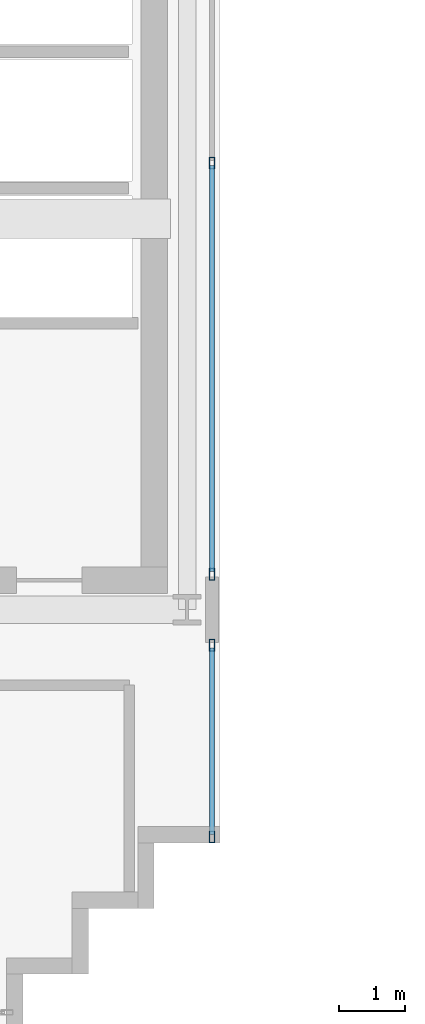
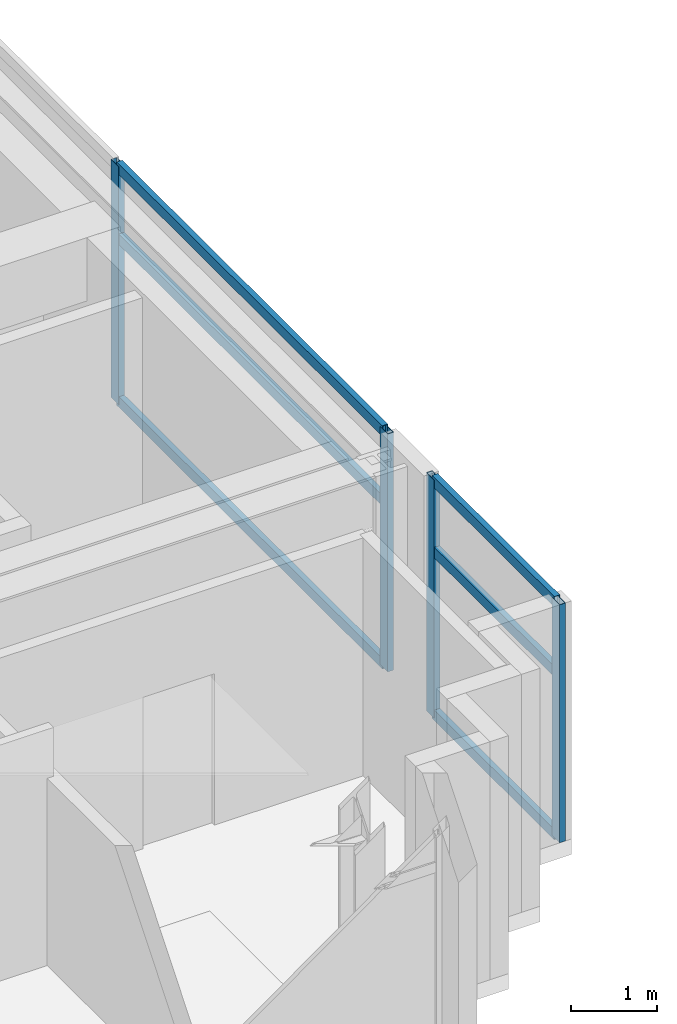
# One storey, part 4 of 25: 10 members, 2 elements without a shape of their own.
"""IFC4 building model written with IfcOpenShell, lengths in metres."""

from ifc_helpers import new_model, si_unit, direction, frame, origin, origin_2d, place, context, subcontext, project, spatial, hollow_rectangle, extrude, source, transform, mapped, material, layer, layer_set, material_profile, profile_set, type_object, element, aggregate, save


model = new_model("IFC4")

# Units and contexts
model_context = context("Model", 3, precision=1e-05, world=origin(), true_north=direction((0.0, 1.0)))
body_context = subcontext(model_context, "Body", "Model", "MODEL_VIEW")
ifc_project = project(units=[si_unit("LENGTHUNIT", "METRE"), si_unit("AREAUNIT", "SQUARE_METRE"), si_unit("VOLUMEUNIT", "CUBIC_METRE"), si_unit("PLANEANGLEUNIT", "RADIAN"), si_unit("MASSUNIT", "GRAM", prefix="KILO")], contexts=[model_context])

# Site, building, storey
site_placement = place(None, origin())
site = spatial("IfcSite", under=ifc_project, at=site_placement, CompositionType="ELEMENT")
building_placement = place(site_placement, origin())
building = spatial("IfcBuilding", under=site, at=building_placement, Name="Ocotamira Hotel", CompositionType="ELEMENT")
storey_placement = place(building_placement, frame((0.0, 0.0, 258.0)))
storey = spatial("IfcBuildingStorey", under=building, at=storey_placement, Name="L65", CompositionType="ELEMENT", Elevation=258.0)

# Curtain wall, members
ifc_material_1 = material(Name="Anodised pale-metal aluminium and solar glass", Category="aluminium")
ifc_layer = layer(ifc_material_1, 0.2099609375)
ifc_layer_set = layer_set([ifc_layer], Name="Anodised pale-metal aluminium and solar glass")
curtain_wall_type = type_object("IfcCurtainWallType", Name="CW-SYS7-PEAK", PredefinedType="NOTDEFINED", material=ifc_layer_set)
curtain_wall_1_placement = place(storey_placement, origin())
curtain_wall_1 = element("IfcCurtainWall", 1, at=curtain_wall_1_placement, inside=storey, type_object=curtain_wall_type, Name="L65 Curtain Wall CW-7 CW-L65-WI1", PredefinedType="NOTDEFINED")
ifc_material_2 = material(Name="Anodised pale-metal aluminium 6063-T6", Category="aluminium")
ifc_material_profile_1 = material_profile(ifc_material_2, hollow_rectangle(XDim=0.080078125, YDim=0.179931640625, WallThickness=0.006103515625, at=origin_2d()), Name="HSS180X80X6")
ifc_profile_set_1 = profile_set([ifc_material_profile_1], Name="Anodised pale-metal aluminium 6063-T6")
member_type_1 = type_object("IfcMemberType", Name="CWM-180X75", PredefinedType="MULLION", material=ifc_profile_set_1)
shared_shape_1 = source(origin(), body_context, "Body", "SweptSolid", [
    extrude(hollow_rectangle(XDim=0.080078125, YDim=0.179931640625, WallThickness=0.006103515625, at=origin_2d()), origin(), (0.0, 0.0, 1.0), 3.3798828125),
])
member_1_placement = place(storey_placement, frame((23.8798828125, 11.090087890625, 0.0), z_axis=(0.0, 0.0, 1.0), x_axis=(-1.0, 0.0, 0.0)))
member_1 = element("IfcMember", 2, at=member_1_placement, type_object=member_type_1, Name="CW-7 mullion 1", PredefinedType="MULLION", context=body_context, shape_type="MappedRepresentation", body=[
    mapped(shared_shape_1, transform((0.0, 0.0, 0.0), scale=1.0)),
])
member_2_placement = place(storey_placement, frame((23.8798828125, 14.010009765625, 0.0), z_axis=(0.0, 0.0, 1.0), x_axis=(-1.0, 0.0, 0.0)))
member_2 = element("IfcMember", 3, at=member_2_placement, type_object=member_type_1, Name="CW-7 mullion 2", PredefinedType="MULLION", context=body_context, shape_type="MappedRepresentation", body=[
    mapped(shared_shape_1, transform((0.0, 0.0, 0.0), scale=1.0)),
])

curtain_wall_2_placement = place(storey_placement, origin())
curtain_wall_2 = element("IfcCurtainWall", 4, at=curtain_wall_2_placement, inside=storey, type_object=curtain_wall_type, Name="L65 Curtain Wall CW-7 CW-L65-WI2", PredefinedType="NOTDEFINED")
member_3_placement = place(storey_placement, frame((23.8798828125, 15.090087890625, 0.0), z_axis=(0.0, 0.0, 1.0), x_axis=(-1.0, 0.0, 0.0)))
member_3 = element("IfcMember", 5, at=member_3_placement, type_object=member_type_1, Name="CW-7 mullion 1", PredefinedType="MULLION", context=body_context, shape_type="MappedRepresentation", body=[
    mapped(shared_shape_1, transform((0.0, 0.0, 0.0), scale=1.0)),
])
member_4_placement = place(storey_placement, frame((23.8798828125, 21.35009765625, 0.0), z_axis=(0.0, 0.0, 1.0), x_axis=(-1.0, 0.0, 0.0)))
member_4 = element("IfcMember", 6, at=member_4_placement, type_object=member_type_1, Name="CW-7 mullion 2", PredefinedType="MULLION", context=body_context, shape_type="MappedRepresentation", body=[
    mapped(shared_shape_1, transform((0.0, 0.0, 0.0), scale=1.0)),
])

# Member
ifc_material_profile_2 = material_profile(ifc_material_2, hollow_rectangle(XDim=0.074951171875, YDim=0.14990234375, WallThickness=0.006103515625, at=origin_2d()), Name="HSS150X75X6")
ifc_profile_set_2 = profile_set([ifc_material_profile_2], Name="Anodised pale-metal aluminium 6063-T6")
member_type_2 = type_object("IfcMemberType", Name="CWT-150X75", PredefinedType="USERDEFINED", material=ifc_profile_set_2)
shared_shape_2 = source(origin(), body_context, "Body", "SweptSolid", [
    extrude(hollow_rectangle(XDim=0.074951171875, YDim=0.14990234375, WallThickness=0.006103515625, at=origin_2d()), origin(), (0.0, 0.0, 1.0), 2.840087890625),
])
member_5_placement = place(storey_placement, frame((23.8798828125, 11.1298828125, 0.03759765625), z_axis=(0.0, 1.0, 0.0), x_axis=(-1.0, 0.0, 0.0)))
member_5 = element("IfcMember", 7, at=member_5_placement, type_object=member_type_2, Name="CW-7 transom 1.1", ObjectType="TRANSOM", PredefinedType="USERDEFINED", context=body_context, shape_type="MappedRepresentation", body=[
    mapped(shared_shape_2, transform((0.0, 0.0, 0.0), scale=1.0)),
])

member_6_placement = place(storey_placement, frame((23.8798828125, 11.1298828125, 2.35009765625), z_axis=(0.0, 1.0, 0.0), x_axis=(-1.0, 0.0, 0.0)))
member_6 = element("IfcMember", 8, at=member_6_placement, type_object=member_type_2, Name="CW-7 transom 1.2", ObjectType="TRANSOM", PredefinedType="USERDEFINED", context=body_context, shape_type="MappedRepresentation", body=[
    mapped(shared_shape_2, transform((0.0, 0.0, 0.0), scale=1.0)),
])

member_7_placement = place(storey_placement, frame((23.8798828125, 11.1298828125, 3.342529296875), z_axis=(0.0, 1.0, 0.0), x_axis=(-1.0, 0.0, 0.0)))
member_7 = element("IfcMember", 9, at=member_7_placement, type_object=member_type_2, Name="CW-7 transom 1.3", ObjectType="TRANSOM", PredefinedType="USERDEFINED", context=body_context, shape_type="MappedRepresentation", body=[
    mapped(shared_shape_2, transform((0.0, 0.0, 0.0), scale=1.0)),
])

aggregate(curtain_wall_1, [member_1, member_2, member_5, member_6, member_7])

shared_shape_3 = source(origin(), body_context, "Body", "SweptSolid", [
    extrude(hollow_rectangle(XDim=0.074951171875, YDim=0.14990234375, WallThickness=0.006103515625, at=origin_2d()), origin(), (0.0, 0.0, 1.0), 6.18017578125),
])
member_8_placement = place(storey_placement, frame((23.8798828125, 15.1298828125, 0.03759765625), z_axis=(0.0, 1.0, 0.0), x_axis=(-1.0, 0.0, 0.0)))
member_8 = element("IfcMember", 10, at=member_8_placement, type_object=member_type_2, Name="CW-7 transom 1.1", ObjectType="TRANSOM", PredefinedType="USERDEFINED", context=body_context, shape_type="MappedRepresentation", body=[
    mapped(shared_shape_3, transform((0.0, 0.0, 0.0), scale=1.0)),
])

member_9_placement = place(storey_placement, frame((23.8798828125, 15.1298828125, 2.35009765625), z_axis=(0.0, 1.0, 0.0), x_axis=(-1.0, 0.0, 0.0)))
member_9 = element("IfcMember", 11, at=member_9_placement, type_object=member_type_2, Name="CW-7 transom 1.2", ObjectType="TRANSOM", PredefinedType="USERDEFINED", context=body_context, shape_type="MappedRepresentation", body=[
    mapped(shared_shape_3, transform((0.0, 0.0, 0.0), scale=1.0)),
])

member_10_placement = place(storey_placement, frame((23.8798828125, 15.1298828125, 3.342529296875), z_axis=(0.0, 1.0, 0.0), x_axis=(-1.0, 0.0, 0.0)))
member_10 = element("IfcMember", 12, at=member_10_placement, type_object=member_type_2, Name="CW-7 transom 1.3", ObjectType="TRANSOM", PredefinedType="USERDEFINED", context=body_context, shape_type="MappedRepresentation", body=[
    mapped(shared_shape_3, transform((0.0, 0.0, 0.0), scale=1.0)),
])

aggregate(curtain_wall_2, [member_3, member_4, member_8, member_9, member_10])

save(model, "model.ifc")
